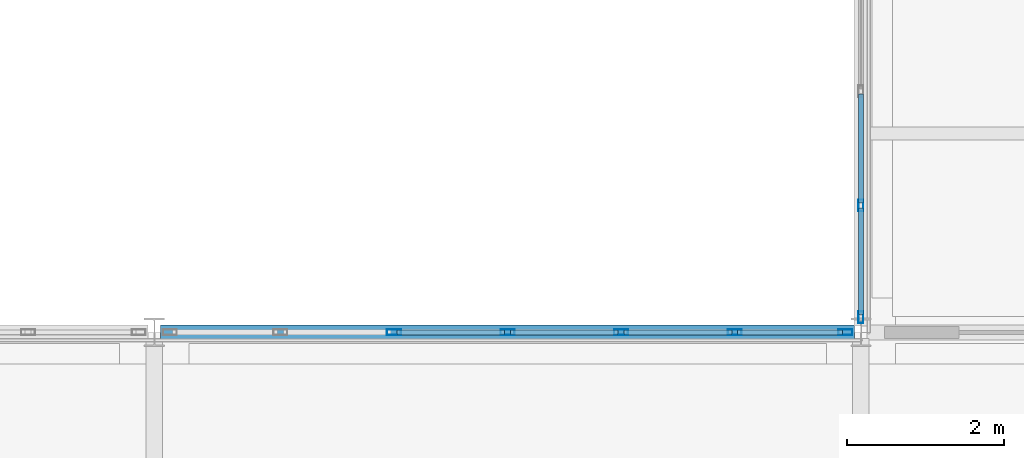
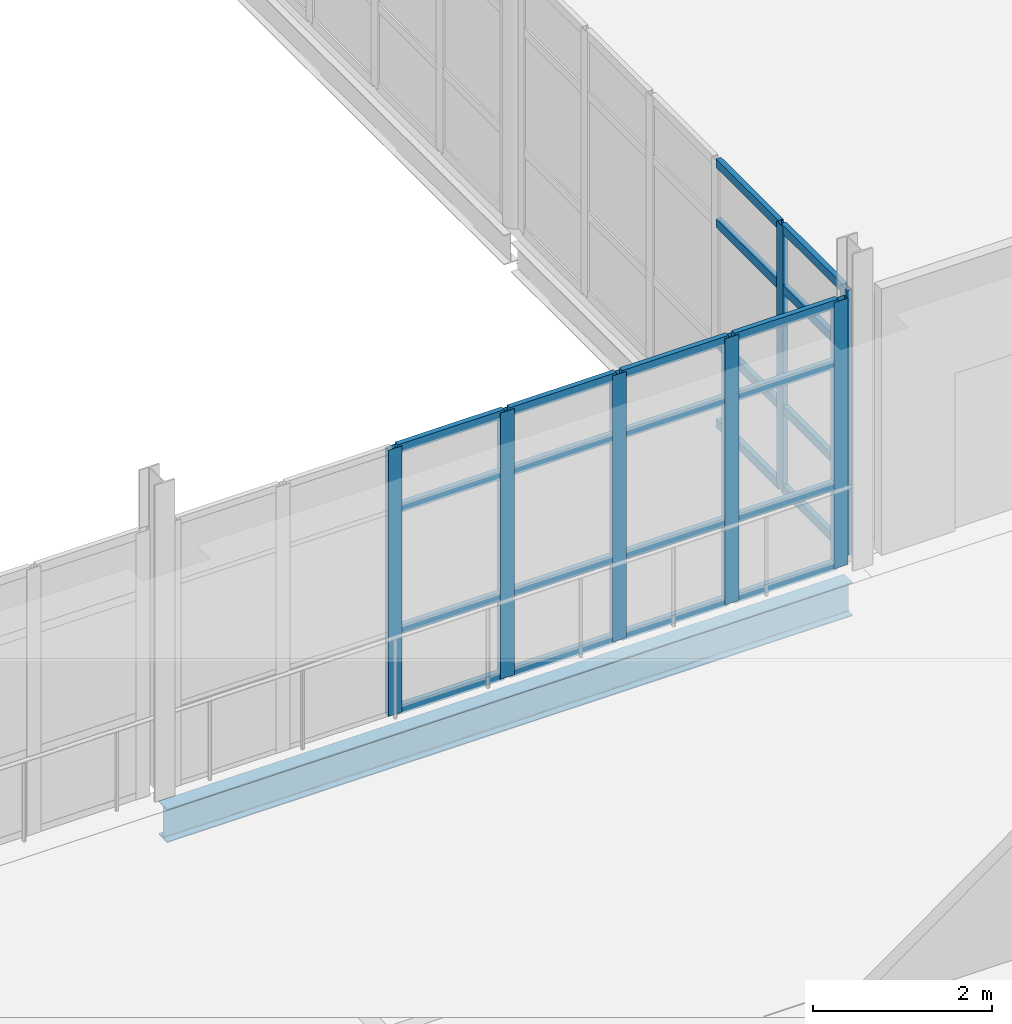
# One storey, part 50 of 174: 31 members, 1 beam, 2 elements without a shape of their own.
"""IFC4 building model written with IfcOpenShell, lengths in metres."""

from ifc_helpers import new_model, si_unit, direction, frame, origin, origin_2d, place, context, subcontext, project, spatial, hollow_rectangle, i_section, extrude, material, material_profile, profile_set, type_object, element, aggregate, save


model = new_model("IFC4")

# Units and contexts
model_context = context("Model", 3, precision=1e-05, world=origin(), true_north=direction((0.0, 1.0)))
body_context = subcontext(model_context, "Body", "Model", "MODEL_VIEW")
ifc_project = project(units=[si_unit("LENGTHUNIT", "METRE"), si_unit("AREAUNIT", "SQUARE_METRE"), si_unit("VOLUMEUNIT", "CUBIC_METRE"), si_unit("PLANEANGLEUNIT", "RADIAN"), si_unit("MASSUNIT", "GRAM", prefix="KILO")], contexts=[model_context])

# Site, building, storey
site_placement = place(None, origin())
site = spatial("IfcSite", under=ifc_project, at=site_placement, CompositionType="ELEMENT")
building_placement = place(site_placement, origin())
building = spatial("IfcBuilding", under=site, at=building_placement, Name="Caisbarro Railhouse Central Library", CompositionType="ELEMENT")
storey_placement = place(building_placement, frame((0.0, 0.0, 5.0400390625)))
storey = spatial("IfcBuildingStorey", under=building, at=storey_placement, Name="L01", CompositionType="ELEMENT", Elevation=5.0400390625)

# Beam
ifc_material_1 = material(Name="Steel ASTM A572 Grade 50", Category="steel")
ifc_material_profile_1 = material_profile(ifc_material_1, i_section(OverallWidth=0.18994140625, OverallDepth=0.45703125, WebThickness=0.009033203125, FlangeThickness=0.014404296875, FilletRadius=0.01806640625, at=origin_2d()), Name="W460X74.0")
ifc_profile_set_1 = profile_set([ifc_material_profile_1], Name="Steel ASTM A572 Grade 50")
beam_type = type_object("IfcBeamType", Name="BM-SP01", PredefinedType="SPANDREL", material=ifc_profile_set_1)
beam_placement = place(storey_placement, frame((45.080078125, 60.800048828125, -0.448486328125), z_axis=(1.0, 0.0, 0.0), x_axis=(0.0, 1.0, 0.0)))
element("IfcBeam", 1, at=beam_placement, inside=storey, type_object=beam_type, Name="SP01 beam L01 #822", PredefinedType="SPANDREL", context=body_context, shape_type="SweptSolid", body=[
    extrude(i_section(OverallWidth=0.18994140625, OverallDepth=0.45703125, WebThickness=0.009033203125, FlangeThickness=0.014404296875, FilletRadius=0.01806640625, at=origin_2d()), origin(), (0.0, 0.0, 1.0), 8.83984375),
])

# Curtain wall, members
ifc_material_2 = material(Name="Anodised architectural aluminium", Category="aluminium")
curtain_wall_type_1 = type_object("IfcCurtainWallType", Name="CW-CW02", PredefinedType="NOTDEFINED", material=ifc_material_2)
curtain_wall_1_placement = place(storey_placement, origin())
curtain_wall_1 = element("IfcCurtainWall", 2, at=curtain_wall_1_placement, inside=storey, type_object=curtain_wall_type_1, Name="CW02 curtain wall L01 #15", PredefinedType="NOTDEFINED")
ifc_material_profile_2 = material_profile(ifc_material_2, hollow_rectangle(XDim=0.074951171875, YDim=0.179931640625, WallThickness=0.00439453125, at=origin_2d()), Name="ALU-MUL-75X180")
ifc_profile_set_2 = profile_set([ifc_material_profile_2], Name="Anodised architectural aluminium")
member_type_1 = type_object("IfcMemberType", Name="CWM-M01", PredefinedType="MULLION", material=ifc_profile_set_2)
member_1_placement = place(storey_placement, frame((48.05322265625, 60.800048828125, 0.0), z_axis=(0.0, 0.0, 1.0), x_axis=(0.0, 1.0, 0.0)))
member_1 = element("IfcMember", 3, at=member_1_placement, type_object=member_type_1, Name="CW02 mullion 3", PredefinedType="MULLION", context=body_context, shape_type="SweptSolid", body=[
    extrude(hollow_rectangle(XDim=0.074951171875, YDim=0.179931640625, WallThickness=0.00439453125, at=origin_2d()), origin(), (0.0, 0.0, 1.0), 3.6298828125),
])
member_2_placement = place(storey_placement, frame((49.5, 60.800048828125, 0.0), z_axis=(0.0, 0.0, 1.0), x_axis=(0.0, 1.0, 0.0)))
member_2 = element("IfcMember", 4, at=member_2_placement, type_object=member_type_1, Name="CW02 mullion 4", PredefinedType="MULLION", context=body_context, shape_type="SweptSolid", body=[
    extrude(hollow_rectangle(XDim=0.074951171875, YDim=0.179931640625, WallThickness=0.00439453125, at=origin_2d()), origin(), (0.0, 0.0, 1.0), 3.6298828125),
])
member_3_placement = place(storey_placement, frame((50.94677734375, 60.800048828125, 0.0), z_axis=(0.0, 0.0, 1.0), x_axis=(0.0, 1.0, 0.0)))
member_3 = element("IfcMember", 5, at=member_3_placement, type_object=member_type_1, Name="CW02 mullion 5", PredefinedType="MULLION", context=body_context, shape_type="SweptSolid", body=[
    extrude(hollow_rectangle(XDim=0.074951171875, YDim=0.179931640625, WallThickness=0.00439453125, at=origin_2d()), origin(), (0.0, 0.0, 1.0), 3.6298828125),
])
member_4_placement = place(storey_placement, frame((52.393310546875, 60.800048828125, 0.0), z_axis=(0.0, 0.0, 1.0), x_axis=(0.0, 1.0, 0.0)))
member_4 = element("IfcMember", 6, at=member_4_placement, type_object=member_type_1, Name="CW02 mullion 6", PredefinedType="MULLION", context=body_context, shape_type="SweptSolid", body=[
    extrude(hollow_rectangle(XDim=0.074951171875, YDim=0.179931640625, WallThickness=0.00439453125, at=origin_2d()), origin(), (0.0, 0.0, 1.0), 3.6298828125),
])
member_5_placement = place(storey_placement, frame((53.802490234375, 60.800048828125, 0.0), z_axis=(0.0, 0.0, 1.0), x_axis=(0.0, 1.0, 0.0)))
member_5 = element("IfcMember", 7, at=member_5_placement, type_object=member_type_1, Name="CW02 mullion 7", PredefinedType="MULLION", context=body_context, shape_type="SweptSolid", body=[
    extrude(hollow_rectangle(XDim=0.074951171875, YDim=0.179931640625, WallThickness=0.00439453125, at=origin_2d()), origin(), (0.0, 0.0, 1.0), 3.6298828125),
])

curtain_wall_type_2 = type_object("IfcCurtainWallType", Name="CW-CW03", PredefinedType="NOTDEFINED", material=ifc_material_2)
curtain_wall_2_placement = place(storey_placement, origin())
curtain_wall_2 = element("IfcCurtainWall", 8, at=curtain_wall_2_placement, inside=storey, type_object=curtain_wall_type_2, Name="CW03 curtain wall L01 #192", PredefinedType="NOTDEFINED")
ifc_material_profile_3 = material_profile(ifc_material_2, hollow_rectangle(XDim=0.06494140625, YDim=0.14990234375, WallThickness=0.00390625, at=origin_2d()), Name="ALU-MUL-65X150")
ifc_profile_set_3 = profile_set([ifc_material_profile_3], Name="Anodised architectural aluminium")
member_type_2 = type_object("IfcMemberType", Name="CWM-M02", PredefinedType="MULLION", material=ifc_profile_set_3)
member_6_placement = place(storey_placement, frame((54.0, 60.992431640625, 0.0), z_axis=(0.0, 0.0, 1.0), x_axis=(-1.0, 0.0, 0.0)))
member_6 = element("IfcMember", 9, at=member_6_placement, type_object=member_type_2, Name="CW03 mullion 1", PredefinedType="MULLION", context=body_context, shape_type="SweptSolid", body=[
    extrude(hollow_rectangle(XDim=0.06494140625, YDim=0.14990234375, WallThickness=0.00390625, at=origin_2d()), origin(), (0.0, 0.0, 1.0), 3.60986328125),
])
member_7_placement = place(storey_placement, frame((54.0, 62.416015625, 0.0), z_axis=(0.0, 0.0, 1.0), x_axis=(-1.0, 0.0, 0.0)))
member_7 = element("IfcMember", 10, at=member_7_placement, type_object=member_type_2, Name="CW03 mullion 2", PredefinedType="MULLION", context=body_context, shape_type="SweptSolid", body=[
    extrude(hollow_rectangle(XDim=0.06494140625, YDim=0.14990234375, WallThickness=0.00390625, at=origin_2d()), origin(), (0.0, 0.0, 1.0), 3.60986328125),
])

# Member
ifc_material_profile_4 = material_profile(ifc_material_2, hollow_rectangle(XDim=0.06494140625, YDim=0.1201171875, WallThickness=0.00341796875, at=origin_2d()), Name="ALU-TRN-65X120")
ifc_profile_set_4 = profile_set([ifc_material_profile_4], Name="Anodised architectural aluminium")
member_type_3 = type_object("IfcMemberType", Name="CWT-T02", PredefinedType="USERDEFINED", material=ifc_profile_set_4)
member_8_placement = place(storey_placement, frame((48.0908203125, 60.800048828125, 0.032470703125), z_axis=(1.0, 0.0, 0.0), x_axis=(0.0, 1.0, 0.0)))
member_8 = element("IfcMember", 11, at=member_8_placement, type_object=member_type_3, Name="CW02 transom 3.1", ObjectType="TRANSOM", PredefinedType="USERDEFINED", context=body_context, shape_type="SweptSolid", body=[
    extrude(hollow_rectangle(XDim=0.06494140625, YDim=0.1201171875, WallThickness=0.00341796875, at=origin_2d()), origin(), (0.0, 0.0, 1.0), 1.37158203125),
])

member_9_placement = place(storey_placement, frame((48.0908203125, 60.800048828125, 1.119873046875), z_axis=(1.0, 0.0, 0.0), x_axis=(0.0, 1.0, 0.0)))
member_9 = element("IfcMember", 12, at=member_9_placement, type_object=member_type_3, Name="CW02 transom 3.2", ObjectType="TRANSOM", PredefinedType="USERDEFINED", context=body_context, shape_type="SweptSolid", body=[
    extrude(hollow_rectangle(XDim=0.06494140625, YDim=0.1201171875, WallThickness=0.00341796875, at=origin_2d()), origin(), (0.0, 0.0, 1.0), 1.37158203125),
])

member_10_placement = place(storey_placement, frame((48.0908203125, 60.800048828125, 2.780029296875), z_axis=(1.0, 0.0, 0.0), x_axis=(0.0, 1.0, 0.0)))
member_10 = element("IfcMember", 13, at=member_10_placement, type_object=member_type_3, Name="CW02 transom 3.3", ObjectType="TRANSOM", PredefinedType="USERDEFINED", context=body_context, shape_type="SweptSolid", body=[
    extrude(hollow_rectangle(XDim=0.06494140625, YDim=0.1201171875, WallThickness=0.00341796875, at=origin_2d()), origin(), (0.0, 0.0, 1.0), 1.37158203125),
])

member_11_placement = place(storey_placement, frame((48.0908203125, 60.800048828125, 3.597412109375), z_axis=(1.0, 0.0, 0.0), x_axis=(0.0, 1.0, 0.0)))
member_11 = element("IfcMember", 14, at=member_11_placement, type_object=member_type_3, Name="CW02 transom 3.4", ObjectType="TRANSOM", PredefinedType="USERDEFINED", context=body_context, shape_type="SweptSolid", body=[
    extrude(hollow_rectangle(XDim=0.06494140625, YDim=0.1201171875, WallThickness=0.00341796875, at=origin_2d()), origin(), (0.0, 0.0, 1.0), 1.37158203125),
])

member_12_placement = place(storey_placement, frame((49.53759765625, 60.800048828125, 0.032470703125), z_axis=(1.0, 0.0, 0.0), x_axis=(0.0, 1.0, 0.0)))
member_12 = element("IfcMember", 15, at=member_12_placement, type_object=member_type_3, Name="CW02 transom 4.1", ObjectType="TRANSOM", PredefinedType="USERDEFINED", context=body_context, shape_type="SweptSolid", body=[
    extrude(hollow_rectangle(XDim=0.06494140625, YDim=0.1201171875, WallThickness=0.00341796875, at=origin_2d()), origin(), (0.0, 0.0, 1.0), 1.37158203125),
])

member_13_placement = place(storey_placement, frame((49.53759765625, 60.800048828125, 1.119873046875), z_axis=(1.0, 0.0, 0.0), x_axis=(0.0, 1.0, 0.0)))
member_13 = element("IfcMember", 16, at=member_13_placement, type_object=member_type_3, Name="CW02 transom 4.2", ObjectType="TRANSOM", PredefinedType="USERDEFINED", context=body_context, shape_type="SweptSolid", body=[
    extrude(hollow_rectangle(XDim=0.06494140625, YDim=0.1201171875, WallThickness=0.00341796875, at=origin_2d()), origin(), (0.0, 0.0, 1.0), 1.37158203125),
])

member_14_placement = place(storey_placement, frame((49.53759765625, 60.800048828125, 2.780029296875), z_axis=(1.0, 0.0, 0.0), x_axis=(0.0, 1.0, 0.0)))
member_14 = element("IfcMember", 17, at=member_14_placement, type_object=member_type_3, Name="CW02 transom 4.3", ObjectType="TRANSOM", PredefinedType="USERDEFINED", context=body_context, shape_type="SweptSolid", body=[
    extrude(hollow_rectangle(XDim=0.06494140625, YDim=0.1201171875, WallThickness=0.00341796875, at=origin_2d()), origin(), (0.0, 0.0, 1.0), 1.37158203125),
])

member_15_placement = place(storey_placement, frame((49.53759765625, 60.800048828125, 3.597412109375), z_axis=(1.0, 0.0, 0.0), x_axis=(0.0, 1.0, 0.0)))
member_15 = element("IfcMember", 18, at=member_15_placement, type_object=member_type_3, Name="CW02 transom 4.4", ObjectType="TRANSOM", PredefinedType="USERDEFINED", context=body_context, shape_type="SweptSolid", body=[
    extrude(hollow_rectangle(XDim=0.06494140625, YDim=0.1201171875, WallThickness=0.00341796875, at=origin_2d()), origin(), (0.0, 0.0, 1.0), 1.37158203125),
])

member_16_placement = place(storey_placement, frame((50.984130859375, 60.800048828125, 0.032470703125), z_axis=(1.0, 0.0, 0.0), x_axis=(0.0, 1.0, 0.0)))
member_16 = element("IfcMember", 19, at=member_16_placement, type_object=member_type_3, Name="CW02 transom 5.1", ObjectType="TRANSOM", PredefinedType="USERDEFINED", context=body_context, shape_type="SweptSolid", body=[
    extrude(hollow_rectangle(XDim=0.06494140625, YDim=0.1201171875, WallThickness=0.00341796875, at=origin_2d()), origin(), (0.0, 0.0, 1.0), 1.37158203125),
])

member_17_placement = place(storey_placement, frame((50.984130859375, 60.800048828125, 1.119873046875), z_axis=(1.0, 0.0, 0.0), x_axis=(0.0, 1.0, 0.0)))
member_17 = element("IfcMember", 20, at=member_17_placement, type_object=member_type_3, Name="CW02 transom 5.2", ObjectType="TRANSOM", PredefinedType="USERDEFINED", context=body_context, shape_type="SweptSolid", body=[
    extrude(hollow_rectangle(XDim=0.06494140625, YDim=0.1201171875, WallThickness=0.00341796875, at=origin_2d()), origin(), (0.0, 0.0, 1.0), 1.37158203125),
])

member_18_placement = place(storey_placement, frame((50.984130859375, 60.800048828125, 2.780029296875), z_axis=(1.0, 0.0, 0.0), x_axis=(0.0, 1.0, 0.0)))
member_18 = element("IfcMember", 21, at=member_18_placement, type_object=member_type_3, Name="CW02 transom 5.3", ObjectType="TRANSOM", PredefinedType="USERDEFINED", context=body_context, shape_type="SweptSolid", body=[
    extrude(hollow_rectangle(XDim=0.06494140625, YDim=0.1201171875, WallThickness=0.00341796875, at=origin_2d()), origin(), (0.0, 0.0, 1.0), 1.37158203125),
])

member_19_placement = place(storey_placement, frame((50.984130859375, 60.800048828125, 3.597412109375), z_axis=(1.0, 0.0, 0.0), x_axis=(0.0, 1.0, 0.0)))
member_19 = element("IfcMember", 22, at=member_19_placement, type_object=member_type_3, Name="CW02 transom 5.4", ObjectType="TRANSOM", PredefinedType="USERDEFINED", context=body_context, shape_type="SweptSolid", body=[
    extrude(hollow_rectangle(XDim=0.06494140625, YDim=0.1201171875, WallThickness=0.00341796875, at=origin_2d()), origin(), (0.0, 0.0, 1.0), 1.37158203125),
])

member_20_placement = place(storey_placement, frame((52.430908203125, 60.800048828125, 0.032470703125), z_axis=(1.0, 0.0, 0.0), x_axis=(0.0, 1.0, 0.0)))
member_20 = element("IfcMember", 23, at=member_20_placement, type_object=member_type_3, Name="CW02 transom 6.1", ObjectType="TRANSOM", PredefinedType="USERDEFINED", context=body_context, shape_type="SweptSolid", body=[
    extrude(hollow_rectangle(XDim=0.06494140625, YDim=0.1201171875, WallThickness=0.00341796875, at=origin_2d()), origin(), (0.0, 0.0, 1.0), 1.333984375),
])

member_21_placement = place(storey_placement, frame((52.430908203125, 60.800048828125, 1.119873046875), z_axis=(1.0, 0.0, 0.0), x_axis=(0.0, 1.0, 0.0)))
member_21 = element("IfcMember", 24, at=member_21_placement, type_object=member_type_3, Name="CW02 transom 6.2", ObjectType="TRANSOM", PredefinedType="USERDEFINED", context=body_context, shape_type="SweptSolid", body=[
    extrude(hollow_rectangle(XDim=0.06494140625, YDim=0.1201171875, WallThickness=0.00341796875, at=origin_2d()), origin(), (0.0, 0.0, 1.0), 1.333984375),
])

member_22_placement = place(storey_placement, frame((52.430908203125, 60.800048828125, 2.780029296875), z_axis=(1.0, 0.0, 0.0), x_axis=(0.0, 1.0, 0.0)))
member_22 = element("IfcMember", 25, at=member_22_placement, type_object=member_type_3, Name="CW02 transom 6.3", ObjectType="TRANSOM", PredefinedType="USERDEFINED", context=body_context, shape_type="SweptSolid", body=[
    extrude(hollow_rectangle(XDim=0.06494140625, YDim=0.1201171875, WallThickness=0.00341796875, at=origin_2d()), origin(), (0.0, 0.0, 1.0), 1.333984375),
])

member_23_placement = place(storey_placement, frame((52.430908203125, 60.800048828125, 3.597412109375), z_axis=(1.0, 0.0, 0.0), x_axis=(0.0, 1.0, 0.0)))
member_23 = element("IfcMember", 26, at=member_23_placement, type_object=member_type_3, Name="CW02 transom 6.4", ObjectType="TRANSOM", PredefinedType="USERDEFINED", context=body_context, shape_type="SweptSolid", body=[
    extrude(hollow_rectangle(XDim=0.06494140625, YDim=0.1201171875, WallThickness=0.00341796875, at=origin_2d()), origin(), (0.0, 0.0, 1.0), 1.333984375),
])

aggregate(curtain_wall_1, [member_1, member_2, member_3, member_4, member_5, member_8, member_9, member_10, member_11, member_12, member_13, member_14, member_15, member_16, member_17, member_18, member_19, member_20, member_21, member_22, member_23])

member_24_placement = place(storey_placement, frame((54.0, 61.02490234375, 0.032470703125), z_axis=(0.0, 1.0, 0.0), x_axis=(-1.0, 0.0, 0.0)))
member_24 = element("IfcMember", 27, at=member_24_placement, type_object=member_type_3, Name="CW03 transom 1.1", ObjectType="TRANSOM", PredefinedType="USERDEFINED", context=body_context, shape_type="SweptSolid", body=[
    extrude(hollow_rectangle(XDim=0.06494140625, YDim=0.1201171875, WallThickness=0.00341796875, at=origin_2d()), origin(), (0.0, 0.0, 1.0), 1.358642578125),
])

member_25_placement = place(storey_placement, frame((54.0, 61.02490234375, 1.119873046875), z_axis=(0.0, 1.0, 0.0), x_axis=(-1.0, 0.0, 0.0)))
member_25 = element("IfcMember", 28, at=member_25_placement, type_object=member_type_3, Name="CW03 transom 1.2", ObjectType="TRANSOM", PredefinedType="USERDEFINED", context=body_context, shape_type="SweptSolid", body=[
    extrude(hollow_rectangle(XDim=0.06494140625, YDim=0.1201171875, WallThickness=0.00341796875, at=origin_2d()), origin(), (0.0, 0.0, 1.0), 1.358642578125),
])

member_26_placement = place(storey_placement, frame((54.0, 61.02490234375, 2.760009765625), z_axis=(0.0, 1.0, 0.0), x_axis=(-1.0, 0.0, 0.0)))
member_26 = element("IfcMember", 29, at=member_26_placement, type_object=member_type_3, Name="CW03 transom 1.3", ObjectType="TRANSOM", PredefinedType="USERDEFINED", context=body_context, shape_type="SweptSolid", body=[
    extrude(hollow_rectangle(XDim=0.06494140625, YDim=0.1201171875, WallThickness=0.00341796875, at=origin_2d()), origin(), (0.0, 0.0, 1.0), 1.358642578125),
])

member_27_placement = place(storey_placement, frame((54.0, 61.02490234375, 3.577392578125), z_axis=(0.0, 1.0, 0.0), x_axis=(-1.0, 0.0, 0.0)))
member_27 = element("IfcMember", 30, at=member_27_placement, type_object=member_type_3, Name="CW03 transom 1.4", ObjectType="TRANSOM", PredefinedType="USERDEFINED", context=body_context, shape_type="SweptSolid", body=[
    extrude(hollow_rectangle(XDim=0.06494140625, YDim=0.1201171875, WallThickness=0.00341796875, at=origin_2d()), origin(), (0.0, 0.0, 1.0), 1.358642578125),
])

member_28_placement = place(storey_placement, frame((54.0, 62.448486328125, 0.032470703125), z_axis=(0.0, 1.0, 0.0), x_axis=(-1.0, 0.0, 0.0)))
member_28 = element("IfcMember", 31, at=member_28_placement, type_object=member_type_3, Name="CW03 transom 2.1", ObjectType="TRANSOM", PredefinedType="USERDEFINED", context=body_context, shape_type="SweptSolid", body=[
    extrude(hollow_rectangle(XDim=0.06494140625, YDim=0.1201171875, WallThickness=0.00341796875, at=origin_2d()), origin(), (0.0, 0.0, 1.0), 1.39111328125),
])

member_29_placement = place(storey_placement, frame((54.0, 62.448486328125, 1.119873046875), z_axis=(0.0, 1.0, 0.0), x_axis=(-1.0, 0.0, 0.0)))
member_29 = element("IfcMember", 32, at=member_29_placement, type_object=member_type_3, Name="CW03 transom 2.2", ObjectType="TRANSOM", PredefinedType="USERDEFINED", context=body_context, shape_type="SweptSolid", body=[
    extrude(hollow_rectangle(XDim=0.06494140625, YDim=0.1201171875, WallThickness=0.00341796875, at=origin_2d()), origin(), (0.0, 0.0, 1.0), 1.39111328125),
])

member_30_placement = place(storey_placement, frame((54.0, 62.448486328125, 2.760009765625), z_axis=(0.0, 1.0, 0.0), x_axis=(-1.0, 0.0, 0.0)))
member_30 = element("IfcMember", 33, at=member_30_placement, type_object=member_type_3, Name="CW03 transom 2.3", ObjectType="TRANSOM", PredefinedType="USERDEFINED", context=body_context, shape_type="SweptSolid", body=[
    extrude(hollow_rectangle(XDim=0.06494140625, YDim=0.1201171875, WallThickness=0.00341796875, at=origin_2d()), origin(), (0.0, 0.0, 1.0), 1.39111328125),
])

member_31_placement = place(storey_placement, frame((54.0, 62.448486328125, 3.577392578125), z_axis=(0.0, 1.0, 0.0), x_axis=(-1.0, 0.0, 0.0)))
member_31 = element("IfcMember", 34, at=member_31_placement, type_object=member_type_3, Name="CW03 transom 2.4", ObjectType="TRANSOM", PredefinedType="USERDEFINED", context=body_context, shape_type="SweptSolid", body=[
    extrude(hollow_rectangle(XDim=0.06494140625, YDim=0.1201171875, WallThickness=0.00341796875, at=origin_2d()), origin(), (0.0, 0.0, 1.0), 1.39111328125),
])

aggregate(curtain_wall_2, [member_6, member_7, member_24, member_25, member_26, member_27, member_28, member_29, member_30, member_31])

save(model, "model.ifc")
